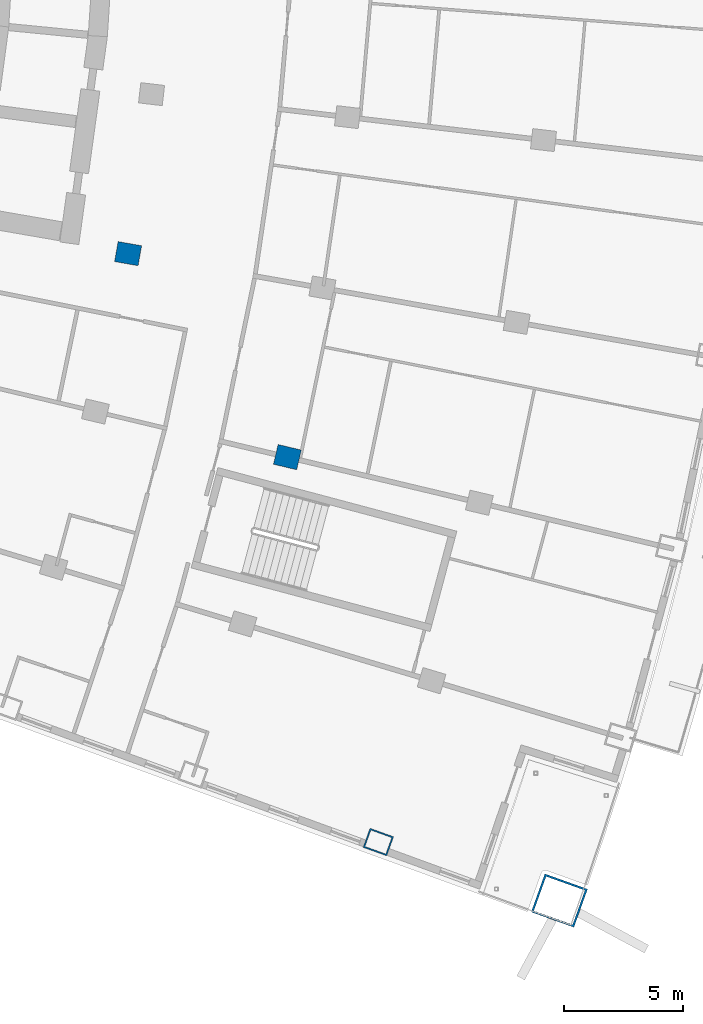
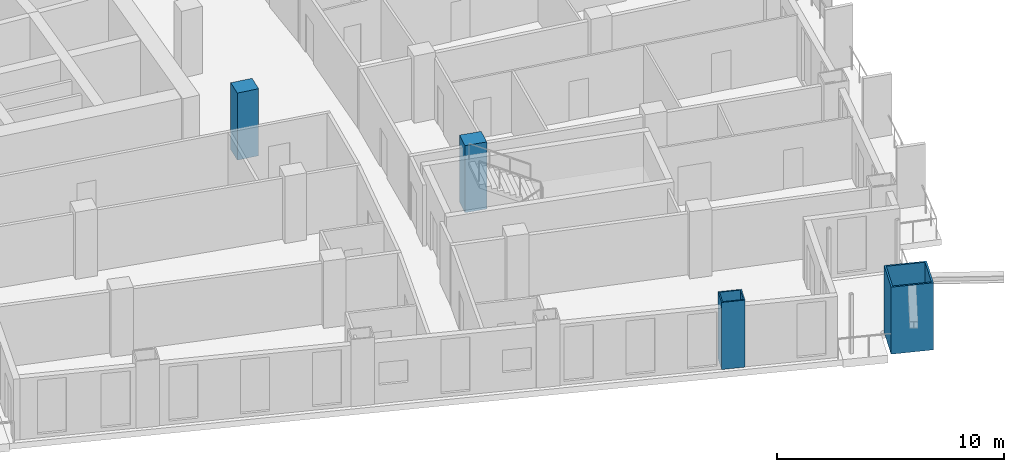
# One storey, part 4 of 25: 4 columns.
"""IFC4 building model written with IfcOpenShell, lengths in metres."""

import ifcopenshell
import ifcopenshell.guid

model = None  # the IFC model being written
_history = None  # IfcOwnerHistory: only IFC2X3 demands one
_inside = {}  # id of a spatial element -> (the spatial element, [elements in it])
_under = {}  # id of a project, library or spatial element -> (it, [spatial elements below it])
_declared = {}  # id of a project -> (the project, [libraries it declares])
_typed = {}  # id of a type object -> (the type object, [elements of that type])
_made_of = {}  # id of a material, layer set ... -> (it, [elements and type objects made of it])


def new_model(schema):
    """Start an empty IFC model of exactly this schema.

    Asked for "IFC4X3", IfcOpenShell would pick the latest addendum, in which some entities
    have other attributes; the version numbers below select the first issue.
    IFC2X3 requires an IfcOwnerHistory on every rooted entity: one is made here for all.
    """
    global model, _history
    if schema == "IFC4X3":
        model = ifcopenshell.file(schema_version=(4, 3, 0, 0))
    else:
        model = ifcopenshell.file(schema=schema)
    _inside.clear()
    _under.clear()
    _declared.clear()
    _typed.clear()
    _made_of.clear()
    _history = None
    if model.schema == "IFC2X3":
        org = make("IfcOrganization", Name="unknown")
        user = make(
            "IfcPersonAndOrganization",
            ThePerson=make("IfcPerson", FamilyName="unknown"),
            TheOrganization=org,
        )
        app = make(
            "IfcApplication",
            ApplicationDeveloper=org,
            Version="unknown",
            ApplicationFullName="unknown",
            ApplicationIdentifier="unknown",
        )
        _history = make(
            "IfcOwnerHistory",
            OwningUser=user,
            OwningApplication=app,
            ChangeAction="ADDED",
            CreationDate=0,
        )
    return model


def make(cls, **values):
    """One entity of the class cls with the attributes given. An attribute that is None is left unset."""
    return model.create_entity(
        cls, **{name: value for name, value in values.items() if value is not None}
    )


def rooted(cls, **values):
    """An entity with a GlobalId (a new one), such as an element, a storey or a relation."""
    return make(cls, GlobalId=ifcopenshell.guid.new(), OwnerHistory=_history, **values)


def si_unit(unit_type, name, prefix=None):
    """IfcSIUnit, for example si_unit("LENGTHUNIT", "METRE", prefix="MILLI")."""
    return make("IfcSIUnit", UnitType=unit_type, Prefix=prefix, Name=name)


def assignment(units):
    """IfcUnitAssignment: the units of a project."""
    return None if units is None else make("IfcUnitAssignment", Units=units)


def point(xyz):
    """IfcCartesianPoint."""
    return None if xyz is None else make("IfcCartesianPoint", Coordinates=xyz)


def direction(xyz):
    """IfcDirection."""
    return None if xyz is None else make("IfcDirection", DirectionRatios=xyz)


def frame(location, z_axis=None, x_axis=None):
    """IfcAxis2Placement3D, a coordinate frame: its origin and axes. An axis left out is left unset."""
    return make(
        "IfcAxis2Placement3D",
        Location=point(location),
        Axis=direction(z_axis),
        RefDirection=direction(x_axis),
    )


def frame_2d(location, x_axis=None):
    """IfcAxis2Placement2D, a coordinate frame in the plane: its origin and x axis."""
    return make(
        "IfcAxis2Placement2D", Location=point(location), RefDirection=direction(x_axis)
    )


def origin():
    """The frame at (0, 0, 0) with its axes left unset."""
    return frame((0.0, 0.0, 0.0))


def origin_2d():
    """The frame at (0, 0) in the plane with its x axis left unset."""
    return frame_2d((0.0, 0.0))


def place(relative_to, where):
    """IfcLocalPlacement: puts the frame where relative to a parent placement (None: the world)."""
    return make(
        "IfcLocalPlacement", PlacementRelTo=relative_to, RelativePlacement=where
    )


def context(
    kind, dimensions, precision=None, world=None, true_north=None, identifier=None
):
    """IfcGeometricRepresentationContext, for example the 3D "Model" context."""
    return make(
        "IfcGeometricRepresentationContext",
        ContextIdentifier=identifier,
        ContextType=kind,
        CoordinateSpaceDimension=dimensions,
        Precision=precision,
        WorldCoordinateSystem=world,
        TrueNorth=true_north,
    )


def subcontext(parent, identifier, kind, view, scale=None):
    """IfcGeometricRepresentationSubContext, for example "Body" below "Model"."""
    return make(
        "IfcGeometricRepresentationSubContext",
        ContextIdentifier=identifier,
        ContextType=kind,
        ParentContext=parent,
        TargetScale=scale,
        TargetView=view,
    )


def project(units=None, contexts=None):
    """IfcProject with its units and contexts."""
    return rooted(
        "IfcProject",
        Name="project",
        RepresentationContexts=contexts,
        UnitsInContext=assignment(units),
    )


def spatial(cls, under=None, at=None, **own):
    """A site, building, storey or space (cls), placed at a placement, below another one or the project."""
    s = rooted(cls, ObjectPlacement=at, **own)
    if under is not None:
        _under.setdefault(under.id(), (under, []))[1].append(s)
    return s


def profile(cls, at=None, kind="AREA", **sizes):
    """A parametric profile (cls). Its sizes go by their IFC names, for example OverallWidth=200.0."""
    return make(cls, ProfileType=kind, Position=at, **sizes)


def rectangle(**sizes):
    """IfcRectangleProfileDef."""
    return profile("IfcRectangleProfileDef", **sizes)


def hollow_rectangle(**sizes):
    """IfcRectangleHollowProfileDef."""
    return profile("IfcRectangleHollowProfileDef", **sizes)


def extrude(swept, where, along, depth):
    """IfcExtrudedAreaSolid: the profile swept, set in the frame where, extruded along a direction by depth."""
    return make(
        "IfcExtrudedAreaSolid",
        SweptArea=swept,
        Position=where,
        ExtrudedDirection=direction(along),
        Depth=depth,
    )


def shape(context_of_items, identifier, shape_type, items):
    """IfcShapeRepresentation: the items that make up one representation, for example the "Body"."""
    return make(
        "IfcShapeRepresentation",
        ContextOfItems=context_of_items,
        RepresentationIdentifier=identifier,
        RepresentationType=shape_type,
        Items=items,
    )


def material(Name=None, Category=None):
    """IfcMaterial."""
    return make("IfcMaterial", Name=Name, Category=Category)


def material_profile(
    of_material, cross_section, Name=None, Category=None, Priority=None
):
    """IfcMaterialProfile: a cross section and its material."""
    return make(
        "IfcMaterialProfile",
        Name=Name,
        Material=of_material,
        Profile=cross_section,
        Priority=Priority,
        Category=Category,
    )


def profile_set(profiles, Name=None, composite=None):
    """IfcMaterialProfileSet."""
    return make(
        "IfcMaterialProfileSet",
        Name=Name,
        MaterialProfiles=profiles,
        CompositeProfile=composite,
    )


def made_of(thing, what):
    """Note that an element or type object is made of a material, layer set ...; save() writes the relation."""
    if what is not None:
        _made_of.setdefault(what.id(), (what, []))[1].append(thing)
    return thing


def type_object(cls, material=None, **own):
    """A type object (cls), such as IfcWallType, which elements share."""
    return made_of(rooted(cls, **own), material)


def element(
    cls,
    number,
    at=None,
    inside=None,
    cuts=None,
    type_object=None,
    material=None,
    context=None,
    identifier="Body",
    shape_type=None,
    held_by="IfcProductDefinitionShape",
    body=None,
    shapes=None,
    **own,
):
    """One element of the class cls, such as IfcWall. Its Tag is "e" and its number.

    at: its placement. inside: the storey or other place that contains it. cuts: it is an
    opening in that element (IfcRelVoidsElement). A single representation is given by context,
    identifier, shape_type and body (its items); several are given by shapes. held_by: the class
    of the entity that holds the representations. save() writes the other relations.
    """
    e = rooted(cls, Tag="e%d" % number, ObjectPlacement=at, **own)
    if body is not None:
        shapes = [shape(context, identifier, shape_type, body)]
    if shapes is not None:
        e.Representation = make(held_by, Representations=shapes)
    if inside is not None:
        _inside.setdefault(inside.id(), (inside, []))[1].append(e)
    if cuts is not None:
        rooted(
            "IfcRelVoidsElement", RelatingBuildingElement=cuts, RelatedOpeningElement=e
        )
    if type_object is not None:
        _typed.setdefault(type_object.id(), (type_object, []))[1].append(e)
    return made_of(e, material)


def aggregate(whole, parts):
    """IfcRelAggregates: a whole, such as a stair, and the parts it consists of."""
    return rooted("IfcRelAggregates", RelatingObject=whole, RelatedObjects=parts)


def save(model, path):
    """Write the relations noted so far, then the file.

    IfcRelAggregates (storeys below a building ...), IfcRelContainedInSpatialStructure (elements
    in a storey), IfcRelDefinesByType, IfcRelAssociatesMaterial and IfcRelDeclares: one each for
    every whole, place, type object, material and project.
    """
    for whole, parts in _under.values():
        aggregate(whole, parts)
    for where, things in _inside.values():
        rooted(
            "IfcRelContainedInSpatialStructure",
            RelatedElements=things,
            RelatingStructure=where,
        )
    for kind, things in _typed.values():
        rooted("IfcRelDefinesByType", RelatedObjects=things, RelatingType=kind)
    for what, things in _made_of.values():
        rooted("IfcRelAssociatesMaterial", RelatedObjects=things, RelatingMaterial=what)
    for by, libraries in _declared.values():
        rooted("IfcRelDeclares", RelatingContext=by, RelatedDefinitions=libraries)
    model.write(path)


model = new_model("IFC4")

# Units and contexts
model_context = context("Model", 3, precision=1e-05, world=origin(), true_north=direction((0.0, 1.0)))
body_context = subcontext(model_context, "Body", "Model", "MODEL_VIEW")
ifc_project = project(units=[si_unit("LENGTHUNIT", "METRE"), si_unit("AREAUNIT", "SQUARE_METRE"), si_unit("VOLUMEUNIT", "CUBIC_METRE"), si_unit("PLANEANGLEUNIT", "RADIAN"), si_unit("MASSUNIT", "GRAM", prefix="KILO")], contexts=[model_context])

# Site, building, storey
site_placement = place(None, origin())
site = spatial("IfcSite", under=ifc_project, at=site_placement, CompositionType="ELEMENT")
building_placement = place(site_placement, origin())
building = spatial("IfcBuilding", under=site, at=building_placement, Name="Alderwake Tower", CompositionType="ELEMENT")
storey_placement = place(building_placement, frame((0.0, 0.0, 122.0)))
storey = spatial("IfcBuildingStorey", under=building, at=storey_placement, Name="L30", CompositionType="ELEMENT", Elevation=122.0)

# Columns
ifc_material_1 = material(Name="Steel ASTM A572 Grade 50 concrete filled C70/85", Category="concrete")
ifc_material_profile_1 = material_profile(ifc_material_1, hollow_rectangle(XDim=0.85009765625, YDim=1.050048828125, WallThickness=0.06005859375, at=origin_2d()), Name="BOX 1050X850X60")
ifc_profile_set_1 = profile_set([ifc_material_profile_1], Name="Steel ASTM A572 Grade 50 concrete filled C70/85")
column_type_1 = type_object("IfcColumnType", Name="End column Z2", PredefinedType="COLUMN", material=ifc_profile_set_1)
column_1_placement = place(storey_placement, frame((44.514892578125, 16.187255859375, 0.0), z_axis=(0.0, 0.0, 1.0), x_axis=(0.338634462954, 0.940918009446, 0.0)))
element("IfcColumn", 1, at=column_1_placement, inside=storey, type_object=column_type_1, Name="Column R01-C4", PredefinedType="COLUMN", context=body_context, shape_type="SweptSolid", body=[
    extrude(hollow_rectangle(XDim=0.85009765625, YDim=1.050048828125, WallThickness=0.06005859375, at=origin_2d()), origin(), (0.0, 0.0, 1.0), 3.60009765625),
])
ifc_material_2 = material(Name="Concrete C70/85", Category="concrete")
ifc_material_profile_2 = material_profile(ifc_material_2, rectangle(XDim=0.85009765625, YDim=1.0, at=origin_2d()), Name="RC 1000X850")
ifc_profile_set_2 = profile_set([ifc_material_profile_2], Name="Concrete C70/85")
column_type_2 = type_object("IfcColumnType", Name="Interior column Z2", PredefinedType="COLUMN", material=ifc_profile_set_2)
for number, where, z_axis, x_axis, name in (
    (2, (40.70458984375, 32.31298828125, 0.0), (0.0, 0.0, 1.0), (0.231221547198, 0.972901123502, 0.0), "Column R03-C3"),
    (3, (34.03125, 40.83837890625, 0.0), (0.0, 0.0, 1.0), (0.174108800747, 0.984726421654, 0.0), "Column R04-C2"),
):
    element("IfcColumn", number, at=place(storey_placement, frame(where, z_axis=z_axis, x_axis=x_axis)), inside=storey, type_object=column_type_2, Name=name, PredefinedType="COLUMN", context=body_context, shape_type="SweptSolid", body=[
        extrude(rectangle(XDim=0.85009765625, YDim=1.0, at=origin_2d()), origin(), (0.0, 0.0, 1.0), 3.60009765625),
    ])
ifc_material_3 = material(Name="Steel ASTM A572 Grade 50 concrete filled C70/85", Category="concrete")
ifc_material_profile_3 = material_profile(ifc_material_3, hollow_rectangle(XDim=1.699951171875, YDim=1.89990234375, WallThickness=0.0849609375, at=origin_2d()), Name="BOX 1900X1700X85")
ifc_profile_set_3 = profile_set([ifc_material_profile_3], Name="Steel ASTM A572 Grade 50 concrete filled C70/85")
column_type_3 = type_object("IfcColumnType", Name="Mega column Z2", PredefinedType="COLUMN", material=ifc_profile_set_3)
column_2_placement = place(storey_placement, frame((52.09912109375, 13.736083984375, 0.0), z_axis=(0.0, 0.0, 1.0), x_axis=(0.336878350236, 0.941548180999, 0.0)))
element("IfcColumn", 4, at=column_2_placement, inside=storey, type_object=column_type_3, Name="Column R01-C5", PredefinedType="COLUMN", context=body_context, shape_type="SweptSolid", body=[
    extrude(hollow_rectangle(XDim=1.699951171875, YDim=1.89990234375, WallThickness=0.0849609375, at=origin_2d()), origin(), (0.0, 0.0, 1.0), 3.60009765625),
])

save(model, "model.ifc")
